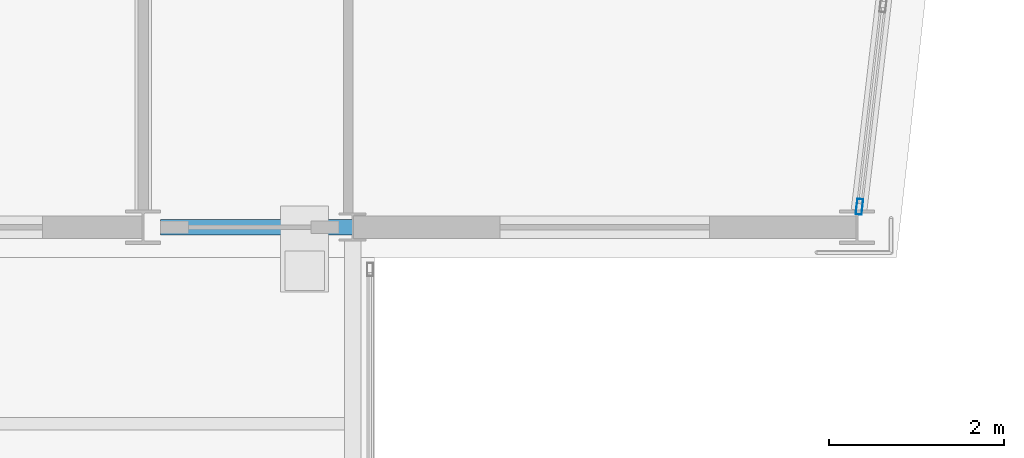
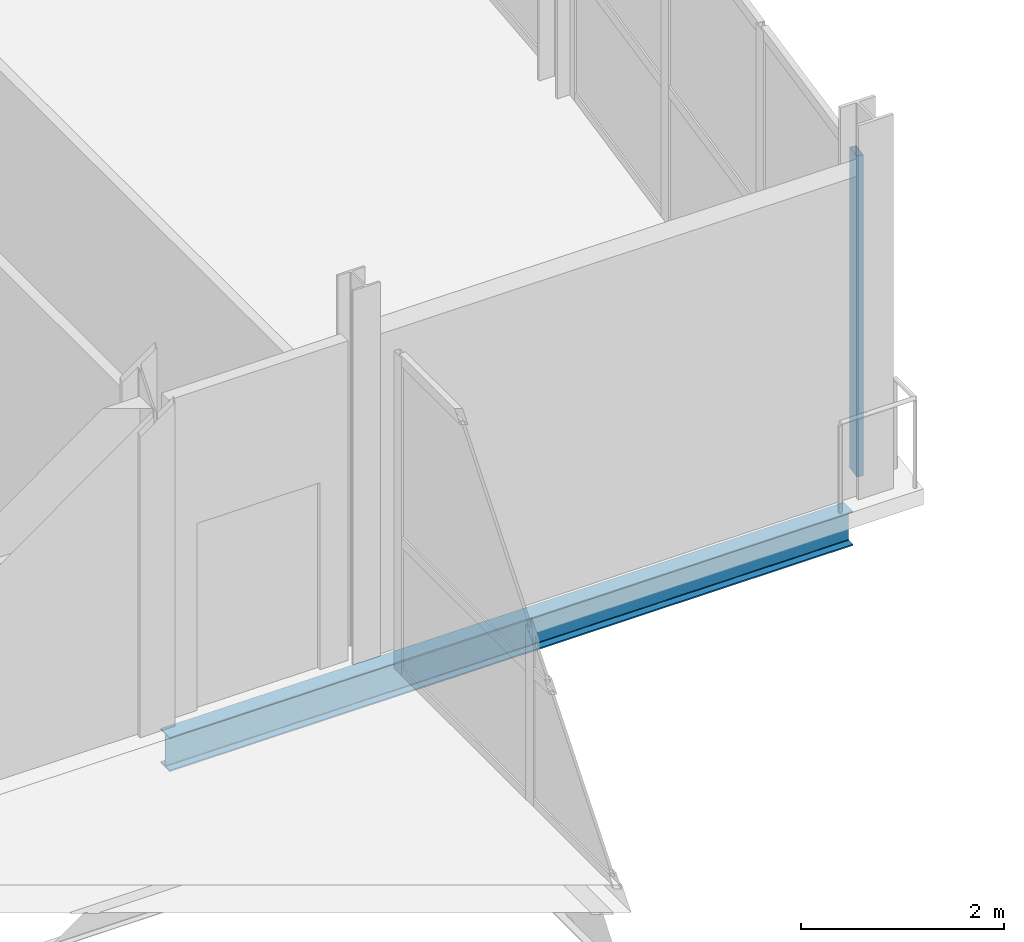
# One storey, part 26 of 77: 1 beam, 1 member, 1 element without a shape of its own.
"""IFC4 building model written with IfcOpenShell, lengths in metres."""

from ifc_helpers import new_model, si_unit, direction, frame, origin, origin_2d, place, context, subcontext, project, spatial, hollow_rectangle, i_section, extrude, material, layer, layer_set, material_profile, profile_set, type_object, element, aggregate, save


model = new_model("IFC4")

# Units and contexts
model_context = context("Model", 3, precision=1e-05, world=origin(), true_north=direction((0.0, 1.0)))
body_context = subcontext(model_context, "Body", "Model", "MODEL_VIEW")
ifc_project = project(units=[si_unit("LENGTHUNIT", "METRE"), si_unit("AREAUNIT", "SQUARE_METRE"), si_unit("VOLUMEUNIT", "CUBIC_METRE"), si_unit("PLANEANGLEUNIT", "RADIAN"), si_unit("MASSUNIT", "GRAM", prefix="KILO")], contexts=[model_context])

# Site, building, storey
site_placement = place(None, origin())
site = spatial("IfcSite", under=ifc_project, at=site_placement, CompositionType="ELEMENT")
building_placement = place(site_placement, origin())
building = spatial("IfcBuilding", under=site, at=building_placement, Name="Quillay Park Conservatory", CompositionType="ELEMENT")
storey_placement = place(building_placement, frame((0.0, 0.0, 5.39990234375)))
storey = spatial("IfcBuildingStorey", under=building, at=storey_placement, Name="L01", CompositionType="ELEMENT", Elevation=5.39990234375)

# Curtain wall, member
ifc_material_1 = material(Name="Thermally Broken Anodised Aluminium 6063-T6", Category="aluminium")
ifc_layer = layer(ifc_material_1, 0.179931640625)
ifc_layer_set = layer_set([ifc_layer], Name="UNITISED CURTAIN WALL TOWER (Thermally Broken Anodised Aluminium 6063-T6)")
curtain_wall_type = type_object("IfcCurtainWallType", Name="UNITISED CURTAIN WALL TOWER", PredefinedType="USERDEFINED", material=ifc_layer_set)
curtain_wall_placement = place(storey_placement, origin())
curtain_wall = element("IfcCurtainWall", 1, at=curtain_wall_placement, inside=storey, type_object=curtain_wall_type, Name="L01 Unitised Curtain Wall 010", ObjectType="UNITISED CURTAIN WALL", PredefinedType="USERDEFINED")
ifc_material_2 = material(Name="Thermally Broken Anodised Aluminium 6063-T6", Category="aluminium")
ifc_material_profile_1 = material_profile(ifc_material_2, hollow_rectangle(XDim=0.070068359375, YDim=0.179931640625, WallThickness=0.00390625, at=origin_2d()), Name="AL70x180x4")
ifc_profile_set_1 = profile_set([ifc_material_profile_1], Name="Thermally Broken Anodised Aluminium 6063-T6")
member_type = type_object("IfcMemberType", Name="CURTAIN WALL MULLION 70 X180", PredefinedType="MULLION", material=ifc_profile_set_1)
member_placement = place(storey_placement, frame((27.952392578125, 63.283447265625, 0.0), z_axis=(0.0, 0.0, 1.0), x_axis=(0.993172502804, -0.116654959918, 0.0)))
member = element("IfcMember", 2, at=member_placement, type_object=member_type, Name="CW-T1 mullion 4", PredefinedType="MULLION", context=body_context, shape_type="SweptSolid", body=[
    extrude(hollow_rectangle(XDim=0.070068359375, YDim=0.179931640625, WallThickness=0.00390625, at=origin_2d()), origin(), (0.0, 0.0, 1.0), 3.859130859375),
])
aggregate(curtain_wall, [member])

# Beam
ifc_material_3 = material(Name="Steel ASTM A992 Grade 50", Category="steel")
ifc_material_profile_2 = material_profile(ifc_material_3, i_section(OverallWidth=0.179931640625, OverallDepth=0.4130859375, WebThickness=0.009765625, FlangeThickness=0.01611328125, FilletRadius=0.011962890625, at=origin_2d()), Name="W410x74")
ifc_profile_set_2 = profile_set([ifc_material_profile_2], Name="Steel ASTM A992 Grade 50")
beam_type = type_object("IfcBeamType", Name="PERIMETER SPANDREL BEAM W410 X74", PredefinedType="SPANDREL", material=ifc_profile_set_2)
beam_placement = place(storey_placement, frame((19.949462890625, 63.050048828125, -0.406494140625), z_axis=(1.0, 0.0, 0.0), x_axis=(0.0, 1.0, 0.0)))
element("IfcBeam", 3, at=beam_placement, inside=storey, type_object=beam_type, Name="L01 beam BM-SP-0110", PredefinedType="SPANDREL", context=body_context, shape_type="SweptSolid", body=[
    extrude(i_section(OverallWidth=0.179931640625, OverallDepth=0.4130859375, WebThickness=0.009765625, FlangeThickness=0.01611328125, FilletRadius=0.011962890625, at=origin_2d()), origin(), (0.0, 0.0, 1.0), 7.776123046875),
])

save(model, "model.ifc")
